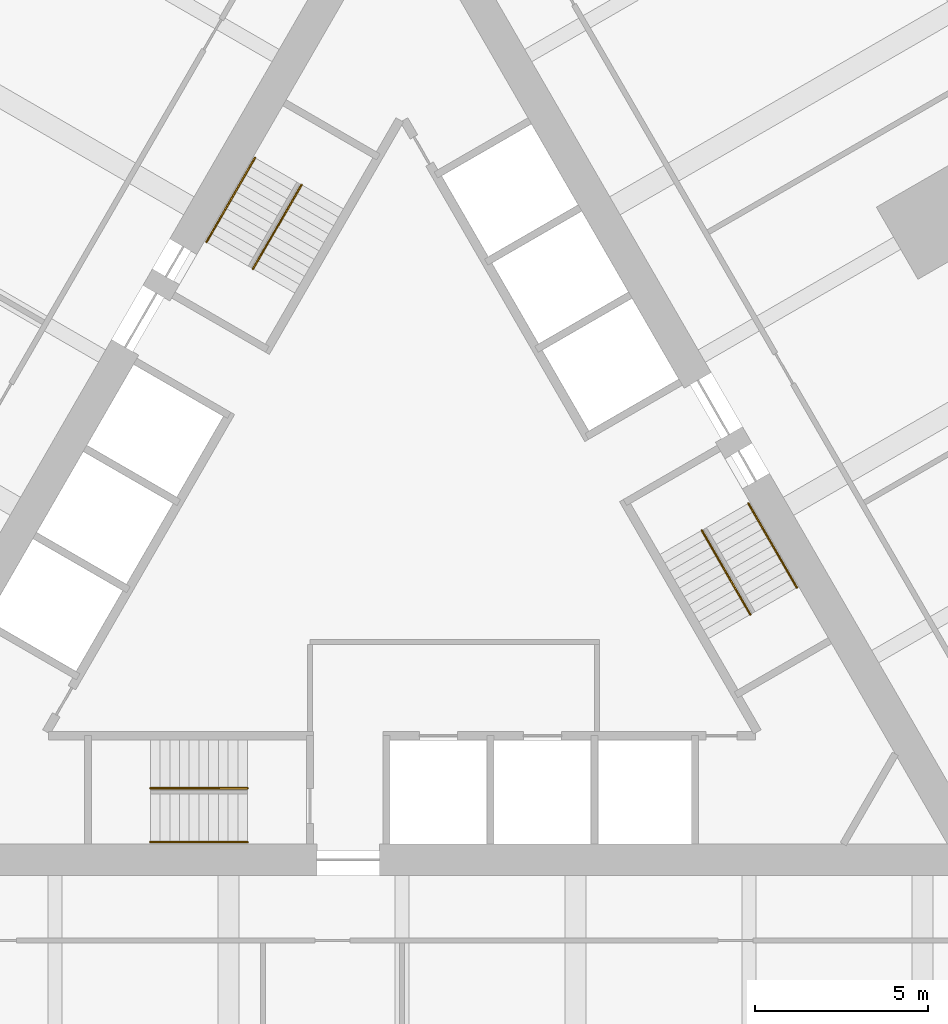
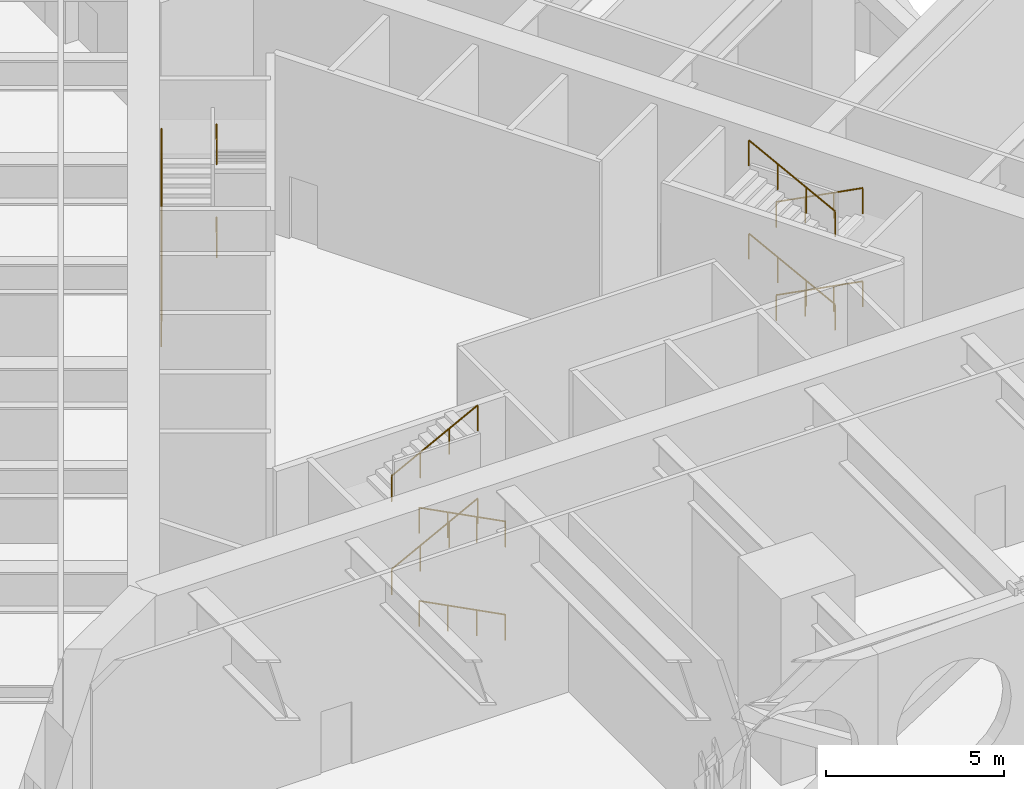
# One storey, part 7 of 7: 12 railings.
"""IFC4 building model written with IfcOpenShell, lengths in metres."""

from ifc_helpers import new_model, si_unit, direction, frame, origin, origin_2d, place, context, subcontext, project, spatial, circle, extrude, material, type_object, element, save


model = new_model("IFC4")

# Units and contexts
model_context = context("Model", 3, precision=1e-05, world=origin(), true_north=direction((0.0, 1.0)))
body_context = subcontext(model_context, "Body", "Model", "MODEL_VIEW")
ifc_project = project(units=[si_unit("LENGTHUNIT", "METRE"), si_unit("AREAUNIT", "SQUARE_METRE"), si_unit("VOLUMEUNIT", "CUBIC_METRE"), si_unit("PLANEANGLEUNIT", "RADIAN"), si_unit("MASSUNIT", "GRAM", prefix="KILO")], contexts=[model_context])

# Site, building, storey
site_placement = place(None, origin())
site = spatial("IfcSite", under=ifc_project, at=site_placement, CompositionType="ELEMENT")
building_placement = place(site_placement, origin())
building = spatial("IfcBuilding", under=site, at=building_placement, Name="Trikona Tower", CompositionType="ELEMENT")
storey_placement = place(building_placement, frame((0.0, 0.0, 103.300048828125)))
storey = spatial("IfcBuildingStorey", under=building, at=storey_placement, Name="L27", CompositionType="ELEMENT", Elevation=103.300048828125)

# Railings
ifc_material = material(Name="Stainless steel handrail", Category="steel")
railing_type = type_object("IfcRailingType", Name="Stair handrail", PredefinedType="HANDRAIL", material=ifc_material)
railing_1_placement = place(storey_placement, frame((-4.449951171875, -9.016357421875, 0.1455078125)))
element("IfcRailing", 1, at=railing_1_placement, inside=storey, type_object=railing_type, Name="Stair handrail A L27 1", PredefinedType="HANDRAIL", context=body_context, shape_type="SweptSolid", body=[
    extrude(circle(Radius=0.02392578125, at=origin_2d()), frame((0.0, 0.0, 0.8759765625), z_axis=(-0.88743460472, 0.0, 0.460933642019), x_axis=(0.0, -1.0, 0.0)), (0.0, 0.0, 1.0), 3.1552734375),
    extrude(circle(Radius=0.02099609375, at=origin_2d()), origin(), (0.0, 0.0, 1.0), 0.851806640625),
    extrude(circle(Radius=0.02099609375, at=origin_2d()), frame((-0.933349609375, 0.0, 0.48486328125)), (0.0, 0.0, 1.0), 0.851806640625),
    extrude(circle(Radius=0.02099609375, at=origin_2d()), frame((-1.86669921875, 0.0, 0.969482421875)), (0.0, 0.0, 1.0), 0.851806640625),
    extrude(circle(Radius=0.02099609375, at=origin_2d()), frame((-2.800048828125, 0.0, 1.454345703125)), (0.0, 0.0, 1.0), 0.851806640625),
])
railing_2_placement = place(storey_placement, frame((-7.25, -7.46630859375, 1.745361328125)))
element("IfcRailing", 2, at=railing_2_placement, inside=storey, type_object=railing_type, Name="Stair handrail A L27 2", PredefinedType="HANDRAIL", context=body_context, shape_type="SweptSolid", body=[
    extrude(circle(Radius=0.02392578125, at=origin_2d()), frame((0.0, 0.0, 0.8759765625), z_axis=(0.887402952893, 0.0, 0.460994576104), x_axis=(0.0, 1.0, 0.0)), (0.0, 0.0, 1.0), 3.1552734375),
    extrude(circle(Radius=0.02099609375, at=origin_2d()), origin(), (0.0, 0.0, 1.0), 0.851806640625),
    extrude(circle(Radius=0.02099609375, at=origin_2d()), frame((0.933349609375, 0.0, 0.48486328125)), (0.0, 0.0, 1.0), 0.851806640625),
    extrude(circle(Radius=0.02099609375, at=origin_2d()), frame((1.86669921875, 0.0, 0.9697265625)), (0.0, 0.0, 1.0), 0.851806640625),
    extrude(circle(Radius=0.02099609375, at=origin_2d()), frame((2.800048828125, 0.0, 1.45458984375)), (0.0, 0.0, 1.0), 0.851806640625),
])
railing_3_placement = place(storey_placement, frame((-4.449951171875, -9.016357421875, 3.345458984375)))
element("IfcRailing", 3, at=railing_3_placement, inside=storey, type_object=railing_type, Name="Stair handrail A L27 3", PredefinedType="HANDRAIL", context=body_context, shape_type="SweptSolid", body=[
    extrude(circle(Radius=0.02392578125, at=origin_2d()), frame((0.0, 0.0, 0.8759765625), z_axis=(-0.887402952893, 0.0, 0.460994576104), x_axis=(0.0, -1.0, 0.0)), (0.0, 0.0, 1.0), 3.1552734375),
    extrude(circle(Radius=0.02099609375, at=origin_2d()), origin(), (0.0, 0.0, 1.0), 0.851806640625),
    extrude(circle(Radius=0.02099609375, at=origin_2d()), frame((-0.933349609375, 0.0, 0.48486328125)), (0.0, 0.0, 1.0), 0.851806640625),
    extrude(circle(Radius=0.02099609375, at=origin_2d()), frame((-1.86669921875, 0.0, 0.9697265625)), (0.0, 0.0, 1.0), 0.851806640625),
    extrude(circle(Radius=0.02099609375, at=origin_2d()), frame((-2.800048828125, 0.0, 1.45458984375)), (0.0, 0.0, 1.0), 0.851806640625),
])
railing_4_placement = place(storey_placement, frame((-7.25, -7.46630859375, 4.945556640625)))
element("IfcRailing", 4, at=railing_4_placement, inside=storey, type_object=railing_type, Name="Stair handrail A L27 4", PredefinedType="HANDRAIL", context=body_context, shape_type="SweptSolid", body=[
    extrude(circle(Radius=0.02392578125, at=origin_2d()), frame((0.0, 0.0, 0.8759765625), z_axis=(0.88743460472, 0.0, 0.460933642019), x_axis=(0.0, 1.0, 0.0)), (0.0, 0.0, 1.0), 3.1552734375),
    extrude(circle(Radius=0.02099609375, at=origin_2d()), origin(), (0.0, 0.0, 1.0), 0.851806640625),
    extrude(circle(Radius=0.02099609375, at=origin_2d()), frame((0.933349609375, 0.0, 0.48486328125)), (0.0, 0.0, 1.0), 0.851806640625),
    extrude(circle(Radius=0.02099609375, at=origin_2d()), frame((1.86669921875, 0.0, 0.969482421875)), (0.0, 0.0, 1.0), 0.851806640625),
    extrude(circle(Radius=0.02099609375, at=origin_2d()), frame((2.800048828125, 0.0, 1.454345703125)), (0.0, 0.0, 1.0), 0.851806640625),
])
railing_5_placement = place(storey_placement, frame((9.9833984375, 0.740966796875, 0.1455078125)))
element("IfcRailing", 5, at=railing_5_placement, inside=storey, type_object=railing_type, Name="Stair handrail B L27 1", PredefinedType="HANDRAIL", context=body_context, shape_type="SweptSolid", body=[
    extrude(circle(Radius=0.02392578125, at=origin_2d()), frame((0.0, 0.0, 0.8759765625), z_axis=(0.443671595968, -0.768571671216, 0.460926351096), x_axis=(0.866056369097, 0.49994636267, 0.0)), (0.0, 0.0, 1.0), 3.1552734375),
    extrude(circle(Radius=0.02099609375, at=origin_2d()), origin(), (0.0, 0.0, 1.0), 0.851806640625),
    extrude(circle(Radius=0.02099609375, at=origin_2d()), frame((0.466552734375, -0.808349609375, 0.48486328125)), (0.0, 0.0, 1.0), 0.851806640625),
    extrude(circle(Radius=0.02099609375, at=origin_2d()), frame((0.933349609375, -1.61669921875, 0.969482421875)), (0.0, 0.0, 1.0), 0.851806640625),
    extrude(circle(Radius=0.02099609375, at=origin_2d()), frame((1.39990234375, -2.425048828125, 1.454345703125)), (0.0, 0.0, 1.0), 0.851806640625),
])
railing_6_placement = place(storey_placement, frame((10.041015625, -2.458984375, 1.745361328125)))
element("IfcRailing", 6, at=railing_6_placement, inside=storey, type_object=railing_type, Name="Stair handrail B L27 2", PredefinedType="HANDRAIL", context=body_context, shape_type="SweptSolid", body=[
    extrude(circle(Radius=0.02392578125, at=origin_2d()), frame((0.0, 0.0, 0.8759765625), z_axis=(-0.443655772185, 0.7685442597, 0.460987284737), x_axis=(-0.866056369097, -0.49994636267, 0.0)), (0.0, 0.0, 1.0), 3.1552734375),
    extrude(circle(Radius=0.02099609375, at=origin_2d()), origin(), (0.0, 0.0, 1.0), 0.851806640625),
    extrude(circle(Radius=0.02099609375, at=origin_2d()), frame((-0.466552734375, 0.808349609375, 0.48486328125)), (0.0, 0.0, 1.0), 0.851806640625),
    extrude(circle(Radius=0.02099609375, at=origin_2d()), frame((-0.933349609375, 1.61669921875, 0.9697265625)), (0.0, 0.0, 1.0), 0.851806640625),
    extrude(circle(Radius=0.02099609375, at=origin_2d()), frame((-1.39990234375, 2.425048828125, 1.45458984375)), (0.0, 0.0, 1.0), 0.851806640625),
])
railing_7_placement = place(storey_placement, frame((9.9833984375, 0.740966796875, 3.345458984375)))
element("IfcRailing", 7, at=railing_7_placement, inside=storey, type_object=railing_type, Name="Stair handrail B L27 3", PredefinedType="HANDRAIL", context=body_context, shape_type="SweptSolid", body=[
    extrude(circle(Radius=0.02392578125, at=origin_2d()), frame((0.0, 0.0, 0.8759765625), z_axis=(0.443655772185, -0.7685442597, 0.460987284737), x_axis=(0.866056369097, 0.49994636267, 0.0)), (0.0, 0.0, 1.0), 3.1552734375),
    extrude(circle(Radius=0.02099609375, at=origin_2d()), origin(), (0.0, 0.0, 1.0), 0.851806640625),
    extrude(circle(Radius=0.02099609375, at=origin_2d()), frame((0.466552734375, -0.808349609375, 0.48486328125)), (0.0, 0.0, 1.0), 0.851806640625),
    extrude(circle(Radius=0.02099609375, at=origin_2d()), frame((0.933349609375, -1.61669921875, 0.9697265625)), (0.0, 0.0, 1.0), 0.851806640625),
    extrude(circle(Radius=0.02099609375, at=origin_2d()), frame((1.39990234375, -2.425048828125, 1.45458984375)), (0.0, 0.0, 1.0), 0.851806640625),
])
railing_8_placement = place(storey_placement, frame((10.041015625, -2.458984375, 4.945556640625)))
element("IfcRailing", 8, at=railing_8_placement, inside=storey, type_object=railing_type, Name="Stair handrail B L27 4", PredefinedType="HANDRAIL", context=body_context, shape_type="SweptSolid", body=[
    extrude(circle(Radius=0.02392578125, at=origin_2d()), frame((0.0, 0.0, 0.8759765625), z_axis=(-0.443671595968, 0.768571671216, 0.460926351096), x_axis=(-0.866056369097, -0.49994636267, 0.0)), (0.0, 0.0, 1.0), 3.1552734375),
    extrude(circle(Radius=0.02099609375, at=origin_2d()), origin(), (0.0, 0.0, 1.0), 0.851806640625),
    extrude(circle(Radius=0.02099609375, at=origin_2d()), frame((-0.466552734375, 0.808349609375, 0.48486328125)), (0.0, 0.0, 1.0), 0.851806640625),
    extrude(circle(Radius=0.02099609375, at=origin_2d()), frame((-0.933349609375, 1.61669921875, 0.969482421875)), (0.0, 0.0, 1.0), 0.851806640625),
    extrude(circle(Radius=0.02099609375, at=origin_2d()), frame((-1.39990234375, 2.425048828125, 1.454345703125)), (0.0, 0.0, 1.0), 0.851806640625),
])
railing_9_placement = place(storey_placement, frame((-5.63330078125, 8.275390625, 0.1455078125)))
element("IfcRailing", 9, at=railing_9_placement, inside=storey, type_object=railing_type, Name="Stair handrail C L27 1", PredefinedType="HANDRAIL", context=body_context, shape_type="SweptSolid", body=[
    extrude(circle(Radius=0.02392578125, at=origin_2d()), frame((0.0, 0.0, 0.8759765625), z_axis=(0.443697981559, 0.768539998752, 0.460953762844), x_axis=(-0.866034573852, 0.49998411664, 0.0)), (0.0, 0.0, 1.0), 3.155029296875),
    extrude(circle(Radius=0.02099609375, at=origin_2d()), origin(), (0.0, 0.0, 1.0), 0.851806640625),
    extrude(circle(Radius=0.02099609375, at=origin_2d()), frame((0.466552734375, 0.808349609375, 0.48486328125)), (0.0, 0.0, 1.0), 0.851806640625),
    extrude(circle(Radius=0.02099609375, at=origin_2d()), frame((0.933349609375, 1.616455078125, 0.969482421875)), (0.0, 0.0, 1.0), 0.851806640625),
    extrude(circle(Radius=0.02099609375, at=origin_2d()), frame((1.39990234375, 2.4248046875, 1.454345703125)), (0.0, 0.0, 1.0), 0.851806640625),
])
railing_10_placement = place(storey_placement, frame((-2.89111328125, 9.92529296875, 1.745361328125)))
element("IfcRailing", 10, at=railing_10_placement, inside=storey, type_object=railing_type, Name="Stair handrail C L27 2", PredefinedType="HANDRAIL", context=body_context, shape_type="SweptSolid", body=[
    extrude(circle(Radius=0.02392578125, at=origin_2d()), frame((0.0, 0.0, 0.8759765625), z_axis=(-0.443655772185, -0.7685442597, 0.460987284737), x_axis=(0.866056369097, -0.49994636267, 0.0)), (0.0, 0.0, 1.0), 3.1552734375),
    extrude(circle(Radius=0.02099609375, at=origin_2d()), origin(), (0.0, 0.0, 1.0), 0.851806640625),
    extrude(circle(Radius=0.02099609375, at=origin_2d()), frame((-0.466552734375, -0.808349609375, 0.48486328125)), (0.0, 0.0, 1.0), 0.851806640625),
    extrude(circle(Radius=0.02099609375, at=origin_2d()), frame((-0.933349609375, -1.61669921875, 0.9697265625)), (0.0, 0.0, 1.0), 0.851806640625),
    extrude(circle(Radius=0.02099609375, at=origin_2d()), frame((-1.39990234375, -2.425048828125, 1.45458984375)), (0.0, 0.0, 1.0), 0.851806640625),
])
railing_11_placement = place(storey_placement, frame((-5.63330078125, 8.275390625, 3.345458984375)))
element("IfcRailing", 11, at=railing_11_placement, inside=storey, type_object=railing_type, Name="Stair handrail C L27 3", PredefinedType="HANDRAIL", context=body_context, shape_type="SweptSolid", body=[
    extrude(circle(Radius=0.02392578125, at=origin_2d()), frame((0.0, 0.0, 0.8759765625), z_axis=(0.443682154953, 0.768512585104, 0.461014698153), x_axis=(-0.866034573852, 0.49998411664, 0.0)), (0.0, 0.0, 1.0), 3.1552734375),
    extrude(circle(Radius=0.02099609375, at=origin_2d()), origin(), (0.0, 0.0, 1.0), 0.851806640625),
    extrude(circle(Radius=0.02099609375, at=origin_2d()), frame((0.466552734375, 0.808349609375, 0.48486328125)), (0.0, 0.0, 1.0), 0.851806640625),
    extrude(circle(Radius=0.02099609375, at=origin_2d()), frame((0.933349609375, 1.616455078125, 0.9697265625)), (0.0, 0.0, 1.0), 0.851806640625),
    extrude(circle(Radius=0.02099609375, at=origin_2d()), frame((1.39990234375, 2.4248046875, 1.45458984375)), (0.0, 0.0, 1.0), 0.851806640625),
])
railing_12_placement = place(storey_placement, frame((-2.89111328125, 9.92529296875, 4.945556640625)))
element("IfcRailing", 12, at=railing_12_placement, inside=storey, type_object=railing_type, Name="Stair handrail C L27 4", PredefinedType="HANDRAIL", context=body_context, shape_type="SweptSolid", body=[
    extrude(circle(Radius=0.02392578125, at=origin_2d()), frame((0.0, 0.0, 0.8759765625), z_axis=(-0.443671595968, -0.768571671216, 0.460926351096), x_axis=(0.866056369097, -0.49994636267, 0.0)), (0.0, 0.0, 1.0), 3.1552734375),
    extrude(circle(Radius=0.02099609375, at=origin_2d()), origin(), (0.0, 0.0, 1.0), 0.851806640625),
    extrude(circle(Radius=0.02099609375, at=origin_2d()), frame((-0.466552734375, -0.808349609375, 0.48486328125)), (0.0, 0.0, 1.0), 0.851806640625),
    extrude(circle(Radius=0.02099609375, at=origin_2d()), frame((-0.933349609375, -1.61669921875, 0.969482421875)), (0.0, 0.0, 1.0), 0.851806640625),
    extrude(circle(Radius=0.02099609375, at=origin_2d()), frame((-1.39990234375, -2.425048828125, 1.454345703125)), (0.0, 0.0, 1.0), 0.851806640625),
])

save(model, "model.ifc")
